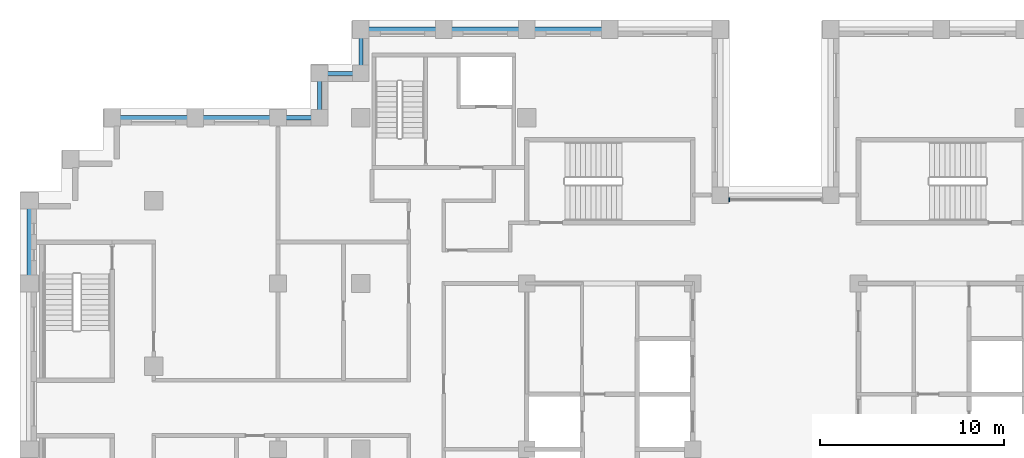
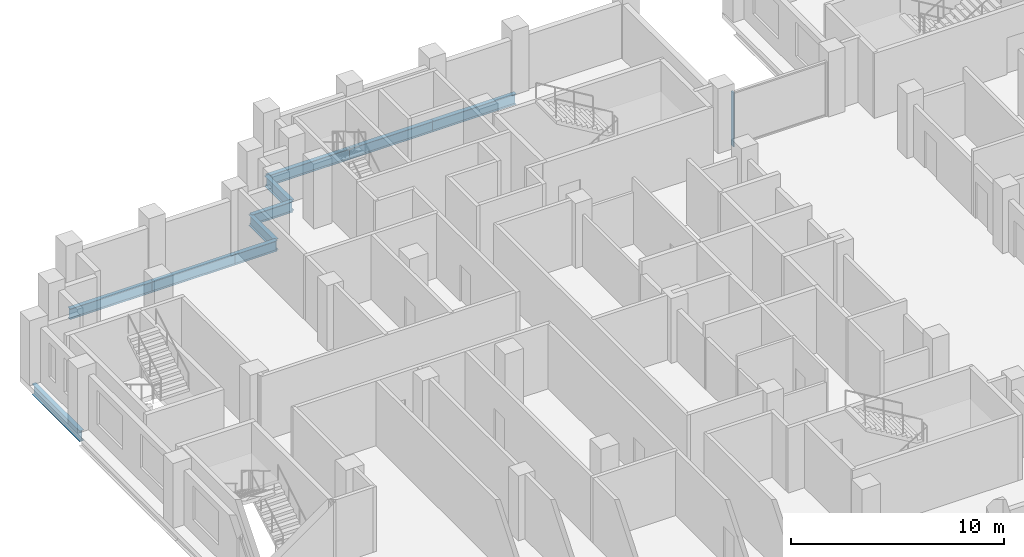
# One storey, part 3 of 15: 10 beams, 1 member, 1 element without a shape of its own.
"""IFC4 building model written with IfcOpenShell, lengths in metres."""

from ifc_helpers import new_model, si_unit, direction, frame, origin, origin_2d, place, context, subcontext, project, spatial, rectangle, i_section, extrude, material, layer, layer_set, material_profile, profile_set, type_object, element, aggregate, save


model = new_model("IFC4")

# Units and contexts
model_context = context("Model", 3, precision=1e-05, world=origin(), true_north=direction((0.0, 1.0)))
body_context = subcontext(model_context, "Body", "Model", "MODEL_VIEW")
ifc_project = project(units=[si_unit("LENGTHUNIT", "METRE"), si_unit("AREAUNIT", "SQUARE_METRE"), si_unit("VOLUMEUNIT", "CUBIC_METRE"), si_unit("PLANEANGLEUNIT", "RADIAN"), si_unit("MASSUNIT", "GRAM", prefix="KILO")], contexts=[model_context])

# Site, building, storey
site_placement = place(None, origin())
site = spatial("IfcSite", under=ifc_project, at=site_placement, CompositionType="ELEMENT")
building_placement = place(site_placement, origin())
building = spatial("IfcBuilding", under=site, at=building_placement, Name="Corbelhall Arena Tower", CompositionType="ELEMENT")
storey_placement = place(building_placement, frame((0.0, 0.0, 200.0)))
storey = spatial("IfcBuildingStorey", under=building, at=storey_placement, Name="L41", CompositionType="ELEMENT", Elevation=200.0)

# Curtain wall, member
ifc_material_1 = material(Name="Aluminium black anodised", Category="aluminium")
ifc_layer = layer(ifc_material_1, 0.199951171875)
ifc_layer_set = layer_set([ifc_layer], Name="EV-CW1 Slot back wall")
curtain_wall_type = type_object("IfcCurtainWallType", Name="EV-CW1 Slot back wall", PredefinedType="NOTDEFINED", material=ifc_layer_set)
curtain_wall_placement = place(storey_placement, origin())
curtain_wall = element("IfcCurtainWall", 1, at=curtain_wall_placement, inside=storey, type_object=curtain_wall_type, Name="Curtain wall CW1", PredefinedType="NOTDEFINED")
ifc_material_profile_1 = material_profile(ifc_material_1, rectangle(XDim=0.199951171875, YDim=0.074951171875, at=origin_2d()))
ifc_profile_set_1 = profile_set([ifc_material_profile_1], Name="Aluminium black anodised")
member_type = type_object("IfcMemberType", Name="EV-CW1-MULLION", PredefinedType="MULLION", material=ifc_profile_set_1)
member_placement = place(storey_placement, frame((-2.512451171875, 13.550048828125, 0.0), z_axis=(0.0, 0.0, 1.0), x_axis=(0.0, -1.0, 0.0)))
member = element("IfcMember", 2, at=member_placement, type_object=member_type, Name="CW1 mullion 2", PredefinedType="MULLION", context=body_context, shape_type="SweptSolid", body=[
    extrude(rectangle(XDim=0.199951171875, YDim=0.074951171875, at=origin_2d()), origin(), (0.0, 0.0, 1.0), 3.1201171875),
])
aggregate(curtain_wall, [member])

# Beams
ifc_material_2 = material(Name="Steel ASTM A992 Gr50", Category="steel")
ifc_material_profile_2 = material_profile(ifc_material_2, i_section(OverallWidth=0.228271484375, OverallDepth=0.607177734375, WebThickness=0.01123046875, FlangeThickness=0.017333984375, at=origin_2d()))
ifc_profile_set_2 = profile_set([ifc_material_profile_2], Name="Steel ASTM A992 Gr50")
beam_type = type_object("IfcBeamType", Name="ST-SPANDREL-W24x76", PredefinedType="SPANDREL", material=ifc_profile_set_2)
for number, where, z_axis, x_axis, name in (
    (3, (-40.5, 9.0, -0.58349609375), (0.0, 1.0, 0.0), (-1.0, 0.0, 0.0), "Beam SP 2"),
    (4, (-31.5, 18.0, -0.58349609375), (1.0, 0.0, 0.0), (0.0, 1.0, 0.0), "Beam SP 5"),
    (5, (-36.0, 18.0, -0.58349609375), (1.0, 0.0, 0.0), (0.0, 1.0, 0.0), "Beam SP 6"),
    (6, (-13.5, 22.800048828125, -0.58349609375), (1.0, 0.0, 0.0), (0.0, 1.0, 0.0), "Beam SP 20"),
    (7, (-18.0, 22.800048828125, -0.58349609375), (1.0, 0.0, 0.0), (0.0, 1.0, 0.0), "Beam SP 21"),
    (8, (-22.5, 22.800048828125, -0.58349609375), (1.0, 0.0, 0.0), (0.0, 1.0, 0.0), "Beam SP 22"),
):
    element("IfcBeam", number, at=place(storey_placement, frame(where, z_axis=z_axis, x_axis=x_axis)), inside=storey, type_object=beam_type, Name=name, PredefinedType="SPANDREL", context=body_context, shape_type="SweptSolid", body=[
        extrude(i_section(OverallWidth=0.228271484375, OverallDepth=0.607177734375, WebThickness=0.01123046875, FlangeThickness=0.017333984375, at=origin_2d()), origin(), (0.0, 0.0, 1.0), 4.5),
    ])
beam_1_placement = place(storey_placement, frame((-27.0, 18.0, -0.58349609375), z_axis=(1.0, 0.0, 0.0), x_axis=(0.0, 1.0, 0.0)))
element("IfcBeam", 9, at=beam_1_placement, inside=storey, type_object=beam_type, Name="Beam SP 33", PredefinedType="SPANDREL", context=body_context, shape_type="SweptSolid", body=[
    extrude(i_section(OverallWidth=0.228271484375, OverallDepth=0.607177734375, WebThickness=0.01123046875, FlangeThickness=0.017333984375, at=origin_2d()), origin(), (0.0, 0.0, 1.0), 2.25),
])
beam_2_placement = place(storey_placement, frame((-22.5, 20.39990234375, -0.58349609375), z_axis=(0.0, 1.0, 0.0), x_axis=(-1.0, 0.0, 0.0)))
element("IfcBeam", 10, at=beam_2_placement, inside=storey, type_object=beam_type, Name="Beam SP 42", PredefinedType="SPANDREL", context=body_context, shape_type="SweptSolid", body=[
    extrude(i_section(OverallWidth=0.228271484375, OverallDepth=0.607177734375, WebThickness=0.01123046875, FlangeThickness=0.017333984375, at=origin_2d()), origin(), (0.0, 0.0, 1.0), 2.400146484375),
])
beam_3_placement = place(storey_placement, frame((-24.75, 20.39990234375, -0.58349609375), z_axis=(1.0, 0.0, 0.0), x_axis=(0.0, 1.0, 0.0)))
element("IfcBeam", 11, at=beam_3_placement, inside=storey, type_object=beam_type, Name="Beam SP 43", PredefinedType="SPANDREL", context=body_context, shape_type="SweptSolid", body=[
    extrude(i_section(OverallWidth=0.228271484375, OverallDepth=0.607177734375, WebThickness=0.01123046875, FlangeThickness=0.017333984375, at=origin_2d()), origin(), (0.0, 0.0, 1.0), 2.25),
])
beam_4_placement = place(storey_placement, frame((-24.75, 18.0, -0.58349609375), z_axis=(0.0, 1.0, 0.0), x_axis=(-1.0, 0.0, 0.0)))
element("IfcBeam", 12, at=beam_4_placement, inside=storey, type_object=beam_type, Name="Beam SP 44", PredefinedType="SPANDREL", context=body_context, shape_type="SweptSolid", body=[
    extrude(i_section(OverallWidth=0.228271484375, OverallDepth=0.607177734375, WebThickness=0.01123046875, FlangeThickness=0.017333984375, at=origin_2d()), origin(), (0.0, 0.0, 1.0), 2.39990234375),
])

save(model, "model.ifc")
